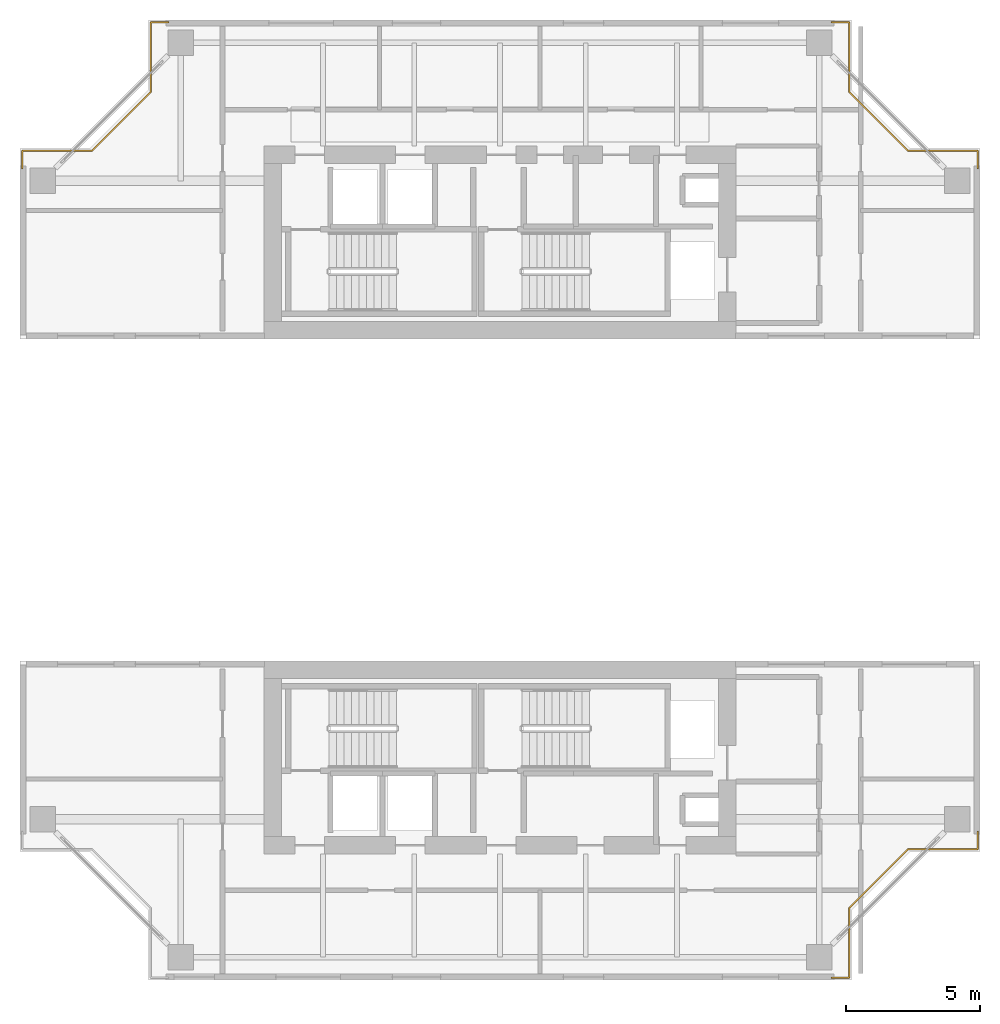
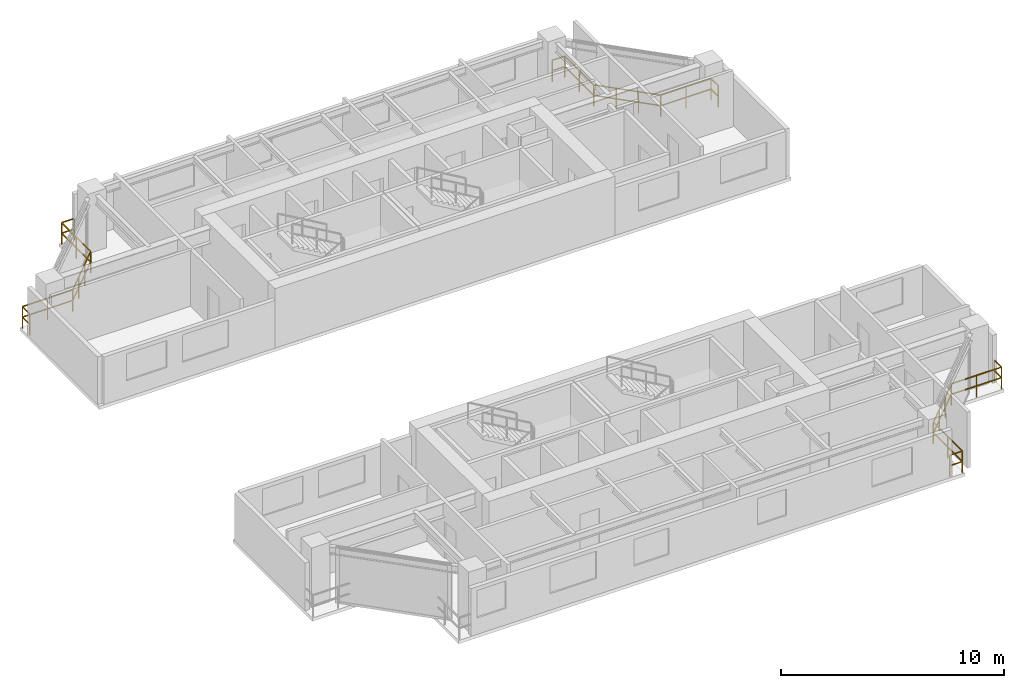
# One storey, part 12 of 12: 3 railings.
"""IFC4 building model written with IfcOpenShell, lengths in metres."""

from ifc_helpers import new_model, si_unit, direction, frame, origin, origin_2d, place, context, subcontext, project, spatial, rectangle, extrude, material, type_object, element, save


model = new_model("IFC4")

# Units and contexts
model_context = context("Model", 3, precision=1e-05, world=origin(), true_north=direction((0.0, 1.0)))
body_context = subcontext(model_context, "Body", "Model", "MODEL_VIEW")
ifc_project = project(units=[si_unit("LENGTHUNIT", "METRE"), si_unit("AREAUNIT", "SQUARE_METRE"), si_unit("VOLUMEUNIT", "CUBIC_METRE"), si_unit("PLANEANGLEUNIT", "RADIAN"), si_unit("MASSUNIT", "GRAM", prefix="KILO"), si_unit("THERMODYNAMICTEMPERATUREUNIT", "KELVIN"), si_unit("POWERUNIT", "WATT")], contexts=[model_context])

# Site, building, storey
site_placement = place(None, origin())
site = spatial("IfcSite", under=ifc_project, at=site_placement, CompositionType="ELEMENT")
building_placement = place(site_placement, origin())
building = spatial("IfcBuilding", under=site, at=building_placement, Name="Qiaomeng Ring Towers", CompositionType="ELEMENT")
storey_placement = place(building_placement, frame((0.0, 0.0, 166.5)))
storey = spatial("IfcBuildingStorey", under=building, at=storey_placement, Name="L48", CompositionType="ELEMENT", Elevation=166.5)

# Railings
ifc_material = material(Name="Low-E pale-green laminated safety glass", Category="glass")
railing_type = type_object("IfcRailingType", Name="ARC-RL-BAL1", PredefinedType="BALUSTRADE", material=ifc_material)
railing_1_placement = place(storey_placement, frame((31.3701171875, 5.179931640625, 0.0)))
element("IfcRailing", 1, at=railing_1_placement, inside=storey, type_object=railing_type, Name="L48 Balustrade ARC-BAL-NOTCH1-L48-SE", PredefinedType="BALUSTRADE", context=body_context, shape_type="SweptSolid", body=[
    extrude(rectangle(XDim=0.048095703125, YDim=0.048095703125, at=origin_2d()), frame((0.0, 0.0, 1.17578125), z_axis=(1.0, 0.0, 0.0), x_axis=(0.0, 1.0, 0.0)), (0.0, 0.0, 1.0), 0.64990234375),
    extrude(rectangle(XDim=0.048095703125, YDim=0.048095703125, at=origin_2d()), frame((0.0, 0.0, 0.60009765625), z_axis=(1.0, 0.0, 0.0), x_axis=(0.0, 1.0, 0.0)), (0.0, 0.0, 1.0), 0.64990234375),
    extrude(rectangle(XDim=0.048095703125, YDim=0.048095703125, at=origin_2d()), frame((0.64990234375, 0.0, 1.17578125), z_axis=(0.0, 1.0, 0.0), x_axis=(-1.0, 0.0, 0.0)), (0.0, 0.0, 1.0), 2.60009765625),
    extrude(rectangle(XDim=0.048095703125, YDim=0.048095703125, at=origin_2d()), frame((0.64990234375, 0.0, 0.60009765625), z_axis=(0.0, 1.0, 0.0), x_axis=(-1.0, 0.0, 0.0)), (0.0, 0.0, 1.0), 2.60009765625),
    extrude(rectangle(XDim=0.048095703125, YDim=0.048095703125, at=origin_2d()), frame((0.64990234375, 2.60009765625, 1.17578125), z_axis=(0.707106781187, 0.707106781187, 0.0), x_axis=(-0.707106781187, 0.707106781187, 0.0)), (0.0, 0.0, 1.0), 3.111083984375),
    extrude(rectangle(XDim=0.048095703125, YDim=0.048095703125, at=origin_2d()), frame((0.64990234375, 2.60009765625, 0.60009765625), z_axis=(0.707106781187, 0.707106781187, 0.0), x_axis=(-0.707106781187, 0.707106781187, 0.0)), (0.0, 0.0, 1.0), 3.111083984375),
    extrude(rectangle(XDim=0.048095703125, YDim=0.048095703125, at=origin_2d()), frame((2.849853515625, 4.800048828125, 1.17578125), z_axis=(1.0, 0.0, 0.0), x_axis=(0.0, 1.0, 0.0)), (0.0, 0.0, 1.0), 2.60009765625),
    extrude(rectangle(XDim=0.048095703125, YDim=0.048095703125, at=origin_2d()), frame((2.849853515625, 4.800048828125, 0.60009765625), z_axis=(1.0, 0.0, 0.0), x_axis=(0.0, 1.0, 0.0)), (0.0, 0.0, 1.0), 2.60009765625),
    extrude(rectangle(XDim=0.048095703125, YDim=0.048095703125, at=origin_2d()), frame((5.449951171875, 4.800048828125, 1.17578125), z_axis=(0.0, 1.0, 0.0), x_axis=(-1.0, 0.0, 0.0)), (0.0, 0.0, 1.0), 0.64990234375),
    extrude(rectangle(XDim=0.048095703125, YDim=0.048095703125, at=origin_2d()), frame((5.449951171875, 4.800048828125, 0.60009765625), z_axis=(0.0, 1.0, 0.0), x_axis=(-1.0, 0.0, 0.0)), (0.0, 0.0, 1.0), 0.64990234375),
    extrude(rectangle(XDim=0.0419921875, YDim=0.0419921875, at=origin_2d()), origin(), (0.0, 0.0, 1.0), 1.15185546875),
    extrude(rectangle(XDim=0.0419921875, YDim=0.0419921875, at=origin_2d()), frame((0.64990234375, 0.0, 0.0)), (0.0, 0.0, 1.0), 1.15185546875),
    extrude(rectangle(XDim=0.0419921875, YDim=0.0419921875, at=origin_2d()), frame((0.64990234375, 1.300048828125, 0.0)), (0.0, 0.0, 1.0), 1.15185546875),
    extrude(rectangle(XDim=0.0419921875, YDim=0.0419921875, at=origin_2d()), frame((0.64990234375, 2.60009765625, 0.0)), (0.0, 0.0, 1.0), 1.15185546875),
    extrude(rectangle(XDim=0.0419921875, YDim=0.0419921875, at=origin_2d()), frame((1.38330078125, 3.33349609375, 0.0)), (0.0, 0.0, 1.0), 1.15185546875),
    extrude(rectangle(XDim=0.0419921875, YDim=0.0419921875, at=origin_2d()), frame((2.116455078125, 4.066650390625, 0.0)), (0.0, 0.0, 1.0), 1.15185546875),
    extrude(rectangle(XDim=0.0419921875, YDim=0.0419921875, at=origin_2d()), frame((2.849853515625, 4.800048828125, 0.0)), (0.0, 0.0, 1.0), 1.15185546875),
    extrude(rectangle(XDim=0.0419921875, YDim=0.0419921875, at=origin_2d()), frame((4.14990234375, 4.800048828125, 0.0)), (0.0, 0.0, 1.0), 1.15185546875),
    extrude(rectangle(XDim=0.0419921875, YDim=0.0419921875, at=origin_2d()), frame((5.449951171875, 4.800048828125, 0.0)), (0.0, 0.0, 1.0), 1.15185546875),
    extrude(rectangle(XDim=0.0419921875, YDim=0.0419921875, at=origin_2d()), frame((5.449951171875, 5.449951171875, 0.0)), (0.0, 0.0, 1.0), 1.15185546875),
])
railing_2_placement = place(storey_placement, frame((36.820068359375, 35.3701171875, 0.0)))
element("IfcRailing", 2, at=railing_2_placement, inside=storey, type_object=railing_type, Name="L48 Balustrade ARC-BAL-NOTCH1-L48-NE", PredefinedType="BALUSTRADE", context=body_context, shape_type="SweptSolid", body=[
    extrude(rectangle(XDim=0.048095703125, YDim=0.048095703125, at=origin_2d()), frame((0.0, 0.0, 1.17578125), z_axis=(0.0, 1.0, 0.0), x_axis=(-1.0, 0.0, 0.0)), (0.0, 0.0, 1.0), 0.64990234375),
    extrude(rectangle(XDim=0.048095703125, YDim=0.048095703125, at=origin_2d()), frame((0.0, 0.0, 0.60009765625), z_axis=(0.0, 1.0, 0.0), x_axis=(-1.0, 0.0, 0.0)), (0.0, 0.0, 1.0), 0.64990234375),
    extrude(rectangle(XDim=0.048095703125, YDim=0.048095703125, at=origin_2d()), frame((0.0, 0.64990234375, 1.17578125), z_axis=(-1.0, 0.0, 0.0), x_axis=(0.0, -1.0, 0.0)), (0.0, 0.0, 1.0), 2.60009765625),
    extrude(rectangle(XDim=0.048095703125, YDim=0.048095703125, at=origin_2d()), frame((0.0, 0.64990234375, 0.60009765625), z_axis=(-1.0, 0.0, 0.0), x_axis=(0.0, -1.0, 0.0)), (0.0, 0.0, 1.0), 2.60009765625),
    extrude(rectangle(XDim=0.048095703125, YDim=0.048095703125, at=origin_2d()), frame((-2.60009765625, 0.64990234375, 1.17578125), z_axis=(-0.707106781187, 0.707106781187, 0.0), x_axis=(-0.707106781187, -0.707106781187, 0.0)), (0.0, 0.0, 1.0), 3.111083984375),
    extrude(rectangle(XDim=0.048095703125, YDim=0.048095703125, at=origin_2d()), frame((-2.60009765625, 0.64990234375, 0.60009765625), z_axis=(-0.707106781187, 0.707106781187, 0.0), x_axis=(-0.707106781187, -0.707106781187, 0.0)), (0.0, 0.0, 1.0), 3.111083984375),
    extrude(rectangle(XDim=0.048095703125, YDim=0.048095703125, at=origin_2d()), frame((-4.800048828125, 2.849853515625, 1.17578125), z_axis=(0.0, 1.0, 0.0), x_axis=(-1.0, 0.0, 0.0)), (0.0, 0.0, 1.0), 2.60009765625),
    extrude(rectangle(XDim=0.048095703125, YDim=0.048095703125, at=origin_2d()), frame((-4.800048828125, 2.849853515625, 0.60009765625), z_axis=(0.0, 1.0, 0.0), x_axis=(-1.0, 0.0, 0.0)), (0.0, 0.0, 1.0), 2.60009765625),
    extrude(rectangle(XDim=0.048095703125, YDim=0.048095703125, at=origin_2d()), frame((-4.800048828125, 5.449951171875, 1.17578125), z_axis=(-1.0, 0.0, 0.0), x_axis=(0.0, -1.0, 0.0)), (0.0, 0.0, 1.0), 0.64990234375),
    extrude(rectangle(XDim=0.048095703125, YDim=0.048095703125, at=origin_2d()), frame((-4.800048828125, 5.449951171875, 0.60009765625), z_axis=(-1.0, 0.0, 0.0), x_axis=(0.0, -1.0, 0.0)), (0.0, 0.0, 1.0), 0.64990234375),
    extrude(rectangle(XDim=0.0419921875, YDim=0.0419921875, at=origin_2d()), origin(), (0.0, 0.0, 1.0), 1.15185546875),
    extrude(rectangle(XDim=0.0419921875, YDim=0.0419921875, at=origin_2d()), frame((0.0, 0.64990234375, 0.0)), (0.0, 0.0, 1.0), 1.15185546875),
    extrude(rectangle(XDim=0.0419921875, YDim=0.0419921875, at=origin_2d()), frame((-1.300048828125, 0.64990234375, 0.0)), (0.0, 0.0, 1.0), 1.15185546875),
    extrude(rectangle(XDim=0.0419921875, YDim=0.0419921875, at=origin_2d()), frame((-2.60009765625, 0.64990234375, 0.0)), (0.0, 0.0, 1.0), 1.15185546875),
    extrude(rectangle(XDim=0.0419921875, YDim=0.0419921875, at=origin_2d()), frame((-3.33349609375, 1.38330078125, 0.0)), (0.0, 0.0, 1.0), 1.15185546875),
    extrude(rectangle(XDim=0.0419921875, YDim=0.0419921875, at=origin_2d()), frame((-4.066650390625, 2.116455078125, 0.0)), (0.0, 0.0, 1.0), 1.15185546875),
    extrude(rectangle(XDim=0.0419921875, YDim=0.0419921875, at=origin_2d()), frame((-4.800048828125, 2.849853515625, 0.0)), (0.0, 0.0, 1.0), 1.15185546875),
    extrude(rectangle(XDim=0.0419921875, YDim=0.0419921875, at=origin_2d()), frame((-4.800048828125, 4.14990234375, 0.0)), (0.0, 0.0, 1.0), 1.15185546875),
    extrude(rectangle(XDim=0.0419921875, YDim=0.0419921875, at=origin_2d()), frame((-4.800048828125, 5.449951171875, 0.0)), (0.0, 0.0, 1.0), 1.15185546875),
    extrude(rectangle(XDim=0.0419921875, YDim=0.0419921875, at=origin_2d()), frame((-5.449951171875, 5.449951171875, 0.0)), (0.0, 0.0, 1.0), 1.15185546875),
])
railing_3_placement = place(storey_placement, frame((6.6298828125, 40.820068359375, 0.0)))
element("IfcRailing", 3, at=railing_3_placement, inside=storey, type_object=railing_type, Name="L48 Balustrade ARC-BAL-NOTCH1-L48-NW", PredefinedType="BALUSTRADE", context=body_context, shape_type="SweptSolid", body=[
    extrude(rectangle(XDim=0.048095703125, YDim=0.048095703125, at=origin_2d()), frame((0.0, 0.0, 1.17578125), z_axis=(-1.0, 0.0, 0.0), x_axis=(0.0, -1.0, 0.0)), (0.0, 0.0, 1.0), 0.64990234375),
    extrude(rectangle(XDim=0.048095703125, YDim=0.048095703125, at=origin_2d()), frame((0.0, 0.0, 0.60009765625), z_axis=(-1.0, 0.0, 0.0), x_axis=(0.0, -1.0, 0.0)), (0.0, 0.0, 1.0), 0.64990234375),
    extrude(rectangle(XDim=0.048095703125, YDim=0.048095703125, at=origin_2d()), frame((-0.64990234375, 0.0, 1.17578125), z_axis=(0.0, -1.0, 0.0), x_axis=(1.0, 0.0, 0.0)), (0.0, 0.0, 1.0), 2.60009765625),
    extrude(rectangle(XDim=0.048095703125, YDim=0.048095703125, at=origin_2d()), frame((-0.64990234375, 0.0, 0.60009765625), z_axis=(0.0, -1.0, 0.0), x_axis=(1.0, 0.0, 0.0)), (0.0, 0.0, 1.0), 2.60009765625),
    extrude(rectangle(XDim=0.048095703125, YDim=0.048095703125, at=origin_2d()), frame((-0.64990234375, -2.60009765625, 1.17578125), z_axis=(-0.707106781187, -0.707106781187, 0.0), x_axis=(0.707106781187, -0.707106781187, 0.0)), (0.0, 0.0, 1.0), 3.111083984375),
    extrude(rectangle(XDim=0.048095703125, YDim=0.048095703125, at=origin_2d()), frame((-0.64990234375, -2.60009765625, 0.60009765625), z_axis=(-0.707106781187, -0.707106781187, 0.0), x_axis=(0.707106781187, -0.707106781187, 0.0)), (0.0, 0.0, 1.0), 3.111083984375),
    extrude(rectangle(XDim=0.048095703125, YDim=0.048095703125, at=origin_2d()), frame((-2.849853515625, -4.800048828125, 1.17578125), z_axis=(-1.0, 0.0, 0.0), x_axis=(0.0, -1.0, 0.0)), (0.0, 0.0, 1.0), 2.60009765625),
    extrude(rectangle(XDim=0.048095703125, YDim=0.048095703125, at=origin_2d()), frame((-2.849853515625, -4.800048828125, 0.60009765625), z_axis=(-1.0, 0.0, 0.0), x_axis=(0.0, -1.0, 0.0)), (0.0, 0.0, 1.0), 2.60009765625),
    extrude(rectangle(XDim=0.048095703125, YDim=0.048095703125, at=origin_2d()), frame((-5.449951171875, -4.800048828125, 1.17578125), z_axis=(0.0, -1.0, 0.0), x_axis=(1.0, 0.0, 0.0)), (0.0, 0.0, 1.0), 0.64990234375),
    extrude(rectangle(XDim=0.048095703125, YDim=0.048095703125, at=origin_2d()), frame((-5.449951171875, -4.800048828125, 0.60009765625), z_axis=(0.0, -1.0, 0.0), x_axis=(1.0, 0.0, 0.0)), (0.0, 0.0, 1.0), 0.64990234375),
    extrude(rectangle(XDim=0.0419921875, YDim=0.0419921875, at=origin_2d()), origin(), (0.0, 0.0, 1.0), 1.15185546875),
    extrude(rectangle(XDim=0.0419921875, YDim=0.0419921875, at=origin_2d()), frame((-0.64990234375, 0.0, 0.0)), (0.0, 0.0, 1.0), 1.15185546875),
    extrude(rectangle(XDim=0.0419921875, YDim=0.0419921875, at=origin_2d()), frame((-0.64990234375, -1.300048828125, 0.0)), (0.0, 0.0, 1.0), 1.15185546875),
    extrude(rectangle(XDim=0.0419921875, YDim=0.0419921875, at=origin_2d()), frame((-0.64990234375, -2.60009765625, 0.0)), (0.0, 0.0, 1.0), 1.15185546875),
    extrude(rectangle(XDim=0.0419921875, YDim=0.0419921875, at=origin_2d()), frame((-1.38330078125, -3.33349609375, 0.0)), (0.0, 0.0, 1.0), 1.15185546875),
    extrude(rectangle(XDim=0.0419921875, YDim=0.0419921875, at=origin_2d()), frame((-2.116455078125, -4.066650390625, 0.0)), (0.0, 0.0, 1.0), 1.15185546875),
    extrude(rectangle(XDim=0.0419921875, YDim=0.0419921875, at=origin_2d()), frame((-2.849853515625, -4.800048828125, 0.0)), (0.0, 0.0, 1.0), 1.15185546875),
    extrude(rectangle(XDim=0.0419921875, YDim=0.0419921875, at=origin_2d()), frame((-4.14990234375, -4.800048828125, 0.0)), (0.0, 0.0, 1.0), 1.15185546875),
    extrude(rectangle(XDim=0.0419921875, YDim=0.0419921875, at=origin_2d()), frame((-5.449951171875, -4.800048828125, 0.0)), (0.0, 0.0, 1.0), 1.15185546875),
    extrude(rectangle(XDim=0.0419921875, YDim=0.0419921875, at=origin_2d()), frame((-5.449951171875, -5.449951171875, 0.0)), (0.0, 0.0, 1.0), 1.15185546875),
])

save(model, "model.ifc")
